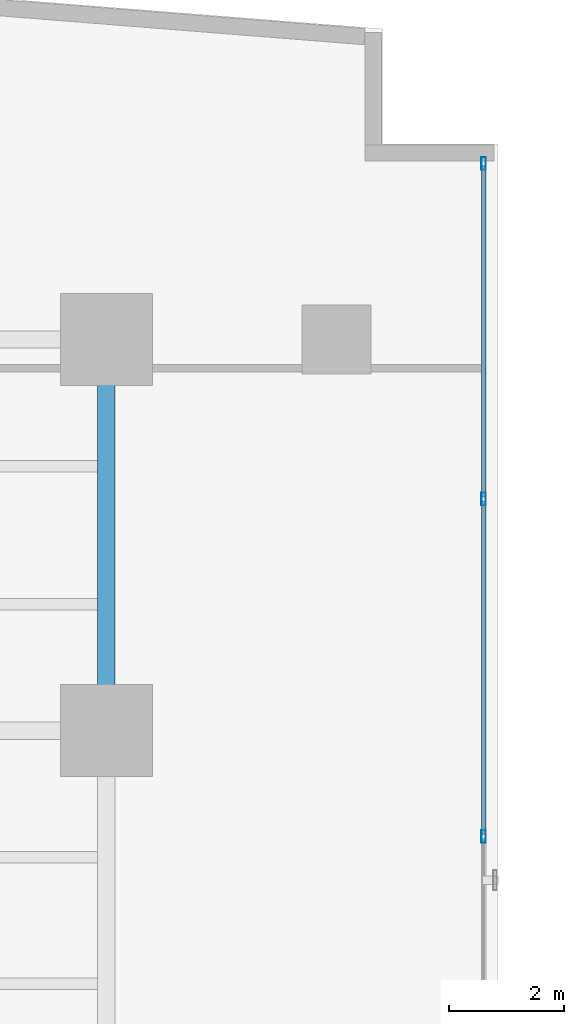
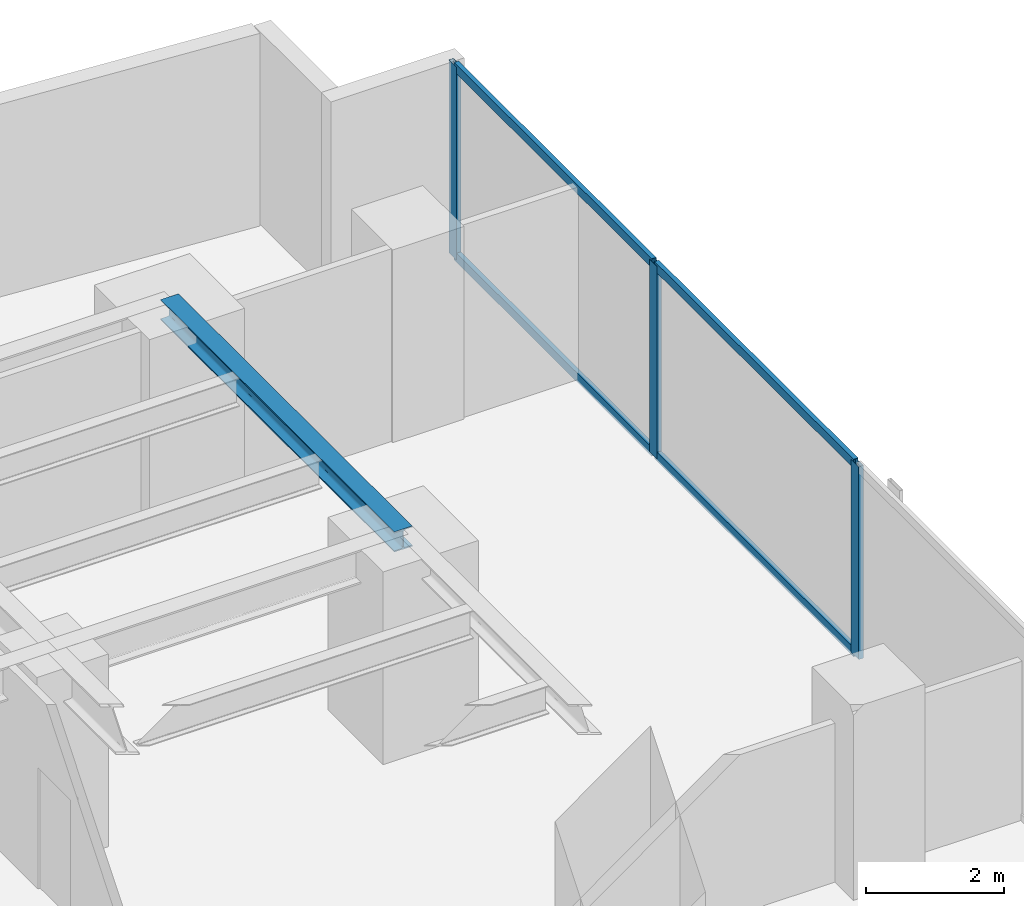
# One storey, part 19 of 28: 7 members, 1 beam, 1 element without a shape of its own.
"""IFC4 building model written with IfcOpenShell, lengths in metres."""

from ifc_helpers import new_model, si_unit, direction, frame, origin, origin_with_axes, origin_2d, place, context, subcontext, project, spatial, hollow_rectangle, i_section, extrude, source, transform, mapped, material, layer, layer_set, material_profile, profile_set, type_object, element, aggregate, save


model = new_model("IFC4")

# Units and contexts
model_context = context("Model", 3, precision=1e-05, world=origin(), true_north=direction((0.0, 1.0)))
body_context = subcontext(model_context, "Body", "Model", "MODEL_VIEW")
ifc_project = project(units=[si_unit("LENGTHUNIT", "METRE"), si_unit("AREAUNIT", "SQUARE_METRE"), si_unit("VOLUMEUNIT", "CUBIC_METRE"), si_unit("PLANEANGLEUNIT", "RADIAN"), si_unit("MASSUNIT", "GRAM", prefix="KILO")], contexts=[model_context])

# Site, building, storey
site_placement = place(None, origin())
site = spatial("IfcSite", under=ifc_project, at=site_placement, CompositionType="ELEMENT")
building_placement = place(site_placement, origin())
building = spatial("IfcBuilding", under=site, at=building_placement, Name="Kolvaren Waterfront Exchange", CompositionType="ELEMENT")
storey_placement = place(building_placement, frame((0.0, 0.0, 79.0)))
storey = spatial("IfcBuildingStorey", under=building, at=storey_placement, Name="L20", CompositionType="ELEMENT", Elevation=79.0)

# Beam
ifc_material_1 = material(Name="Steel S355", Category="steel")
ifc_material_profile_1 = material_profile(ifc_material_1, i_section(OverallWidth=0.300048828125, OverallDepth=0.360107421875, WebThickness=0.012451171875, FlangeThickness=0.0224609375, FilletRadius=0.027099609375, at=origin_2d()), Name="HEB360")
ifc_profile_set_1 = profile_set([ifc_material_profile_1], Name="Steel S355")
beam_type = type_object("IfcBeamType", Name="STR-BM-HEB360", PredefinedType="SPANDREL", material=ifc_profile_set_1)
beam_placement = place(storey_placement, frame((18.800048828125, 37.800048828125, 3.239990234375), z_axis=(0.0, 1.0, 0.0), x_axis=(-1.0, 0.0, 0.0)))
element("IfcBeam", 1, at=beam_placement, inside=storey, type_object=beam_type, Name="L20 north-arm edge beam 3", PredefinedType="SPANDREL", context=body_context, shape_type="SweptSolid", body=[
    extrude(i_section(OverallWidth=0.300048828125, OverallDepth=0.360107421875, WebThickness=0.012451171875, FlangeThickness=0.0224609375, FilletRadius=0.027099609375, at=origin_2d()), origin(), (0.0, 0.0, 1.0), 6.800048828125),
])

# Curtain wall, members
ifc_material_2 = material(Name="Anodised bronze aluminium 6063-T6", Category="aluminium")
ifc_layer = layer(ifc_material_2, 0.219970703125, Name="Anodised bronze aluminium 6063-T6")
ifc_layer_set = layer_set([ifc_layer], Name="Anodised bronze aluminium 6063-T6")
curtain_wall_type = type_object("IfcCurtainWallType", Name="ARC-CW-SYS1", PredefinedType="USERDEFINED", material=ifc_layer_set)
curtain_wall_placement = place(storey_placement, origin())
curtain_wall = element("IfcCurtainWall", 2, at=curtain_wall_placement, inside=storey, type_object=curtain_wall_type, Name="L20 stick curtain wall CW1 (CW-L20-NE)", ObjectType="STICK CURTAIN WALL", PredefinedType="USERDEFINED")
ifc_material_3 = material(Name="Anodised aluminium 6063-T6", Category="aluminium")
ifc_material_profile_2 = material_profile(ifc_material_3, hollow_rectangle(XDim=0.074951171875, YDim=0.159912109375, WallThickness=0.00439453125, at=origin_2d()), Name="ALU-TRN-160x75x4.5")
ifc_profile_set_2 = profile_set([ifc_material_profile_2], Name="Anodised aluminium 6063-T6")
member_type_1 = type_object("IfcMemberType", Name="ARC-CWT-160", PredefinedType="USERDEFINED", material=ifc_profile_set_2)
shared_shape_1 = source(origin_with_axes(), body_context, "Body", "SweptSolid", [
    extrude(hollow_rectangle(XDim=0.074951171875, YDim=0.159912109375, WallThickness=0.00439453125, at=origin_2d()), origin(), (0.0, 0.0, 1.0), 5.75),
])
member_1_placement = place(storey_placement, frame((25.360107421875, 41.8701171875, 0.03759765625), z_axis=(0.0, 1.0, 0.0), x_axis=(-1.0, 0.0, 0.0)))
member_1 = element("IfcMember", 3, at=member_1_placement, type_object=member_type_1, Name="CW1 transom 3.1", ObjectType="TRANSOM", PredefinedType="USERDEFINED", context=body_context, shape_type="MappedRepresentation", body=[
    mapped(shared_shape_1, transform((0.0, 0.0, 0.0), x_axis=(1.0, 0.0, 0.0), y_axis=(0.0, 1.0, 0.0), z_axis=(0.0, 0.0, 1.0), scale=1.0)),
])
member_2_placement = place(storey_placement, frame((25.360107421875, 41.8701171875, 3.382568359375), z_axis=(0.0, 1.0, 0.0), x_axis=(-1.0, 0.0, 0.0)))
member_2 = element("IfcMember", 4, at=member_2_placement, type_object=member_type_1, Name="CW1 transom 3.2", ObjectType="TRANSOM", PredefinedType="USERDEFINED", context=body_context, shape_type="MappedRepresentation", body=[
    mapped(shared_shape_1, transform((0.0, 0.0, 0.0), x_axis=(1.0, 0.0, 0.0), y_axis=(0.0, 1.0, 0.0), z_axis=(0.0, 0.0, 1.0), scale=1.0)),
])
shared_shape_2 = source(origin_with_axes(), body_context, "Body", "SweptSolid", [
    extrude(hollow_rectangle(XDim=0.074951171875, YDim=0.159912109375, WallThickness=0.00439453125, at=origin_2d()), origin(), (0.0, 0.0, 1.0), 5.7900390625),
])
member_3_placement = place(storey_placement, frame((25.360107421875, 36.0, 0.03759765625), z_axis=(0.0, 1.0, 0.0), x_axis=(-1.0, 0.0, 0.0)))
member_3 = element("IfcMember", 5, at=member_3_placement, type_object=member_type_1, Name="CW1 transom 2.1", ObjectType="TRANSOM", PredefinedType="USERDEFINED", context=body_context, shape_type="MappedRepresentation", body=[
    mapped(shared_shape_2, transform((0.0, 0.0, 0.0), x_axis=(1.0, 0.0, 0.0), y_axis=(0.0, 1.0, 0.0), z_axis=(0.0, 0.0, 1.0), scale=1.0)),
])
member_4_placement = place(storey_placement, frame((25.360107421875, 36.0, 3.382568359375), z_axis=(0.0, 1.0, 0.0), x_axis=(-1.0, 0.0, 0.0)))
member_4 = element("IfcMember", 6, at=member_4_placement, type_object=member_type_1, Name="CW1 transom 2.2", ObjectType="TRANSOM", PredefinedType="USERDEFINED", context=body_context, shape_type="MappedRepresentation", body=[
    mapped(shared_shape_2, transform((0.0, 0.0, 0.0), x_axis=(1.0, 0.0, 0.0), y_axis=(0.0, 1.0, 0.0), z_axis=(0.0, 0.0, 1.0), scale=1.0)),
])
ifc_material_profile_3 = material_profile(ifc_material_3, hollow_rectangle(XDim=0.080078125, YDim=0.219970703125, WallThickness=0.0048828125, at=origin_2d()), Name="ALU-MUL-220x80x5")
ifc_profile_set_3 = profile_set([ifc_material_profile_3], Name="Anodised aluminium 6063-T6")
member_type_2 = type_object("IfcMemberType", Name="ARC-CWM-220", PredefinedType="MULLION", material=ifc_profile_set_3)
shared_shape_3 = source(origin_with_axes(), body_context, "Body", "SweptSolid", [
    extrude(hollow_rectangle(XDim=0.080078125, YDim=0.219970703125, WallThickness=0.0048828125, at=origin_2d()), origin(), (0.0, 0.0, 1.0), 3.419921875),
])
member_5_placement = place(storey_placement, frame((25.360107421875, 35.9599609375, 0.0), z_axis=(0.0, 0.0, 1.0), x_axis=(-1.0, 0.0, 0.0)))
member_5 = element("IfcMember", 7, at=member_5_placement, type_object=member_type_2, Name="CW1 mullion 2", PredefinedType="MULLION", context=body_context, shape_type="MappedRepresentation", body=[
    mapped(shared_shape_3, transform((0.0, 0.0, 0.0), x_axis=(1.0, 0.0, 0.0), y_axis=(0.0, 1.0, 0.0), z_axis=(0.0, 0.0, 1.0), scale=1.0)),
])
member_6_placement = place(storey_placement, frame((25.360107421875, 41.830078125, 0.0), z_axis=(0.0, 0.0, 1.0), x_axis=(-1.0, 0.0, 0.0)))
member_6 = element("IfcMember", 8, at=member_6_placement, type_object=member_type_2, Name="CW1 mullion 3", PredefinedType="MULLION", context=body_context, shape_type="MappedRepresentation", body=[
    mapped(shared_shape_3, transform((0.0, 0.0, 0.0), x_axis=(1.0, 0.0, 0.0), y_axis=(0.0, 1.0, 0.0), z_axis=(0.0, 0.0, 1.0), scale=1.0)),
])
member_7_placement = place(storey_placement, frame((25.360107421875, 47.659912109375, 0.0), z_axis=(0.0, 0.0, 1.0), x_axis=(-1.0, 0.0, 0.0)))
member_7 = element("IfcMember", 9, at=member_7_placement, type_object=member_type_2, Name="CW1 mullion 4", PredefinedType="MULLION", context=body_context, shape_type="MappedRepresentation", body=[
    mapped(shared_shape_3, transform((0.0, 0.0, 0.0), x_axis=(1.0, 0.0, 0.0), y_axis=(0.0, 1.0, 0.0), z_axis=(0.0, 0.0, 1.0), scale=1.0)),
])
aggregate(curtain_wall, [member_5, member_6, member_7, member_3, member_4, member_1, member_2])

save(model, "model.ifc")
